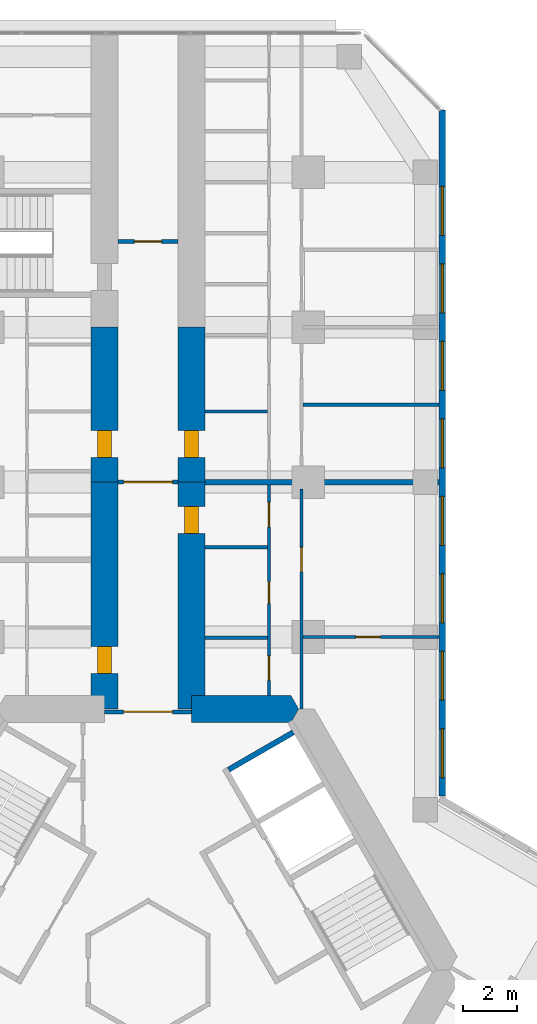
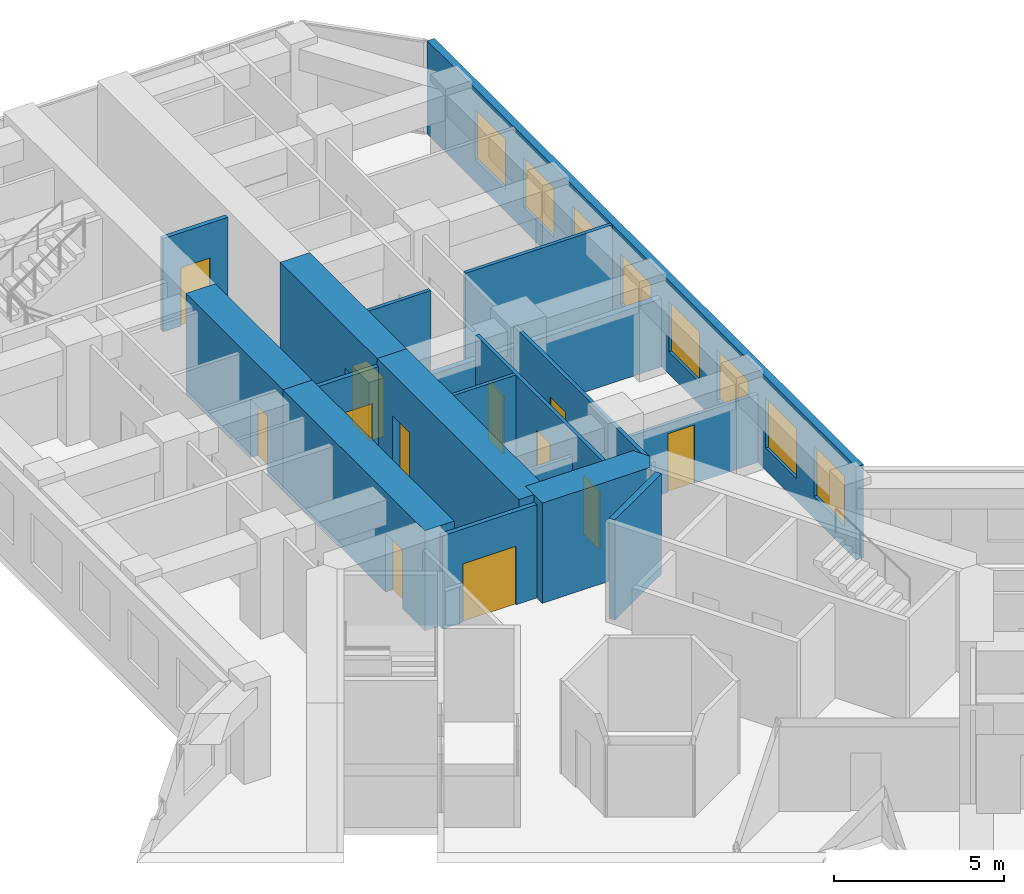
# One storey, part 18 of 21: 18 walls, 12 doors, 8 windows, 20 openings.
"""IFC4 building model written with IfcOpenShell, lengths in metres."""

from ifc_helpers import new_model, si_unit, direction, frame, frame_2d, origin, place, context, subcontext, project, spatial, polyline, rectangle, outline, extrude, material, layer, layer_set, type_object, element, fill, save


model = new_model("IFC4")

# Units and contexts
model_context = context("Model", 3, precision=1e-05, world=origin(), true_north=direction((0.0, 1.0)))
body_context = subcontext(model_context, "Body", "Model", "MODEL_VIEW")
ifc_project = project(units=[si_unit("LENGTHUNIT", "METRE"), si_unit("AREAUNIT", "SQUARE_METRE"), si_unit("VOLUMEUNIT", "CUBIC_METRE"), si_unit("PLANEANGLEUNIT", "RADIAN"), si_unit("MASSUNIT", "GRAM", prefix="KILO")], contexts=[model_context])

# Site, building, storey
site_placement = place(None, origin())
site = spatial("IfcSite", under=ifc_project, at=site_placement, CompositionType="ELEMENT")
building_placement = place(site_placement, origin())
building = spatial("IfcBuilding", under=site, at=building_placement, Name="Kosmar Iwan School Tower", CompositionType="ELEMENT")
storey_placement = place(building_placement, frame((0.0, 0.0, 106.0)))
storey = spatial("IfcBuildingStorey", under=building, at=storey_placement, Name="L26", CompositionType="ELEMENT", Elevation=106.0)

# Wall
ifc_material_1 = material(Name="Concrete C50/60", Category="concrete")
ifc_layer_1 = layer(ifc_material_1, 1.0)
ifc_layer_set_1 = layer_set([ifc_layer_1], Name="Core wall 1000")
wall_type_1 = type_object("IfcWallType", Name="Core wall 1000", PredefinedType="SHEAR", material=ifc_layer_set_1)
wall_1_placement = place(storey_placement, origin())
element("IfcWall", 1, at=wall_1_placement, inside=storey, type_object=wall_type_1, Name="Core wall F090a", PredefinedType="SHEAR", context=body_context, shape_type="SweptSolid", body=[
    extrude(outline(polyline([(1.60009765625, 9.10009765625), (5.25390625, 9.10009765625), (5.54248046875, 9.60009765625), (5.25390625, 10.10009765625), (1.60009765625, 10.10009765625), (1.60009765625, 9.10009765625)])), origin(), (0.0, 0.0, 1.0), 3.60009765625),
])

# Wall, opening, door
ifc_material_2 = material(Name="Concrete C50/60", Category="concrete")
ifc_layer_2 = layer(ifc_material_2, 1.0)
ifc_layer_set_2 = layer_set([ifc_layer_2], Name="Corridor buttress wall 1000")
wall_type_2 = type_object("IfcWallType", Name="Corridor buttress wall 1000", PredefinedType="SHEAR", material=ifc_layer_set_2)
wall_2_placement = place(storey_placement, frame((-1.60009765625, 9.60009765625, 0.0), z_axis=(0.0, 0.0, 1.0), x_axis=(0.0, 1.0, 0.0)))
wall_2 = element("IfcWall", 2, at=wall_2_placement, inside=storey, type_object=wall_type_2, Name="Corridor wall AL", PredefinedType="SHEAR", context=body_context, shape_type="SweptSolid", body=[
    extrude(rectangle(XDim=8.349853515625, YDim=1.0, at=frame_2d((4.1748046875, 0.0))), origin(), (0.0, 0.0, 1.0), 3.60009765625),
])
opening_1_placement = place(wall_2_placement, frame((1.300048828125, 0.0, 0.0)))
opening_1 = element("IfcOpeningElement", 3, at=opening_1_placement, cuts=wall_2, Name="Opening D1", PredefinedType="OPENING", context=body_context, shape_type="SweptSolid", body=[
    extrude(rectangle(XDim=1.0, YDim=2.10009765625, at=frame_2d((0.5, 1.050048828125))), frame((0.0, 0.511962890625, 0.0), z_axis=(0.0, -1.0, 0.0), x_axis=(1.0, 0.0, 0.0)), (0.0, 0.0, 1.0), 1.02392578125),
])
ifc_material_3 = material(Name="Timber fire door in steel frame", Category="steel")
door_type_1 = type_object("IfcDoorType", Name="Flat entrance door 1000x2100", OperationType="SINGLE_SWING_LEFT", PredefinedType="DOOR", material=ifc_material_3)
door_1_placement = place(opening_1_placement, origin())
door_1 = element("IfcDoor", 4, at=door_1_placement, inside=storey, type_object=door_type_1, Name="Flat L26-AL1 entrance door", OperationType="SINGLE_SWING_RIGHT", OverallHeight=2.10009765625, OverallWidth=1.0, PredefinedType="DOOR", context=body_context, shape_type="SweptSolid", body=[
    extrude(rectangle(XDim=1.0, YDim=2.10009765625, at=frame_2d((0.5, 1.050048828125))), frame((0.0, 0.25, 0.0), z_axis=(0.0, -1.0, 0.0), x_axis=(1.0, 0.0, 0.0)), (0.0, 0.0, 1.0), 0.5),
])
fill(opening_1, door_1)

wall_3_placement = place(storey_placement, frame((-1.60009765625, 17.949951171875, 0.0), z_axis=(0.0, 0.0, 1.0), x_axis=(0.0, 1.0, 0.0)))
wall_3 = element("IfcWall", 5, at=wall_3_placement, inside=storey, type_object=wall_type_2, Name="Corridor wall AL bay 2", PredefinedType="SHEAR", context=body_context, shape_type="SweptSolid", body=[
    extrude(rectangle(XDim=5.699951171875, YDim=1.0, at=frame_2d((2.85009765625, 0.0))), origin(), (0.0, 0.0, 1.0), 3.60009765625),
])
opening_2_placement = place(wall_3_placement, frame((0.89990234375, 0.0, 0.0)))
opening_2 = element("IfcOpeningElement", 6, at=opening_2_placement, cuts=wall_3, Name="Opening D1", PredefinedType="OPENING", context=body_context, shape_type="SweptSolid", body=[
    extrude(rectangle(XDim=1.0, YDim=2.10009765625, at=frame_2d((0.5, 1.050048828125))), frame((0.0, 0.511962890625, 0.0), z_axis=(0.0, -1.0, 0.0), x_axis=(1.0, 0.0, 0.0)), (0.0, 0.0, 1.0), 1.02392578125),
])
door_2_placement = place(opening_2_placement, origin())
door_2 = element("IfcDoor", 7, at=door_2_placement, inside=storey, type_object=door_type_1, Name="Flat L26-AL2 entrance door", OperationType="SINGLE_SWING_LEFT", OverallHeight=2.10009765625, OverallWidth=1.0, PredefinedType="DOOR", context=body_context, shape_type="SweptSolid", body=[
    extrude(rectangle(XDim=1.0, YDim=2.10009765625, at=frame_2d((0.5, 1.050048828125))), frame((0.0, 0.25, 0.0), z_axis=(0.0, -1.0, 0.0), x_axis=(1.0, 0.0, 0.0)), (0.0, 0.0, 1.0), 0.5),
])
fill(opening_2, door_2)

wall_4_placement = place(storey_placement, frame((1.60009765625, 9.60009765625, 0.0), z_axis=(0.0, 0.0, 1.0), x_axis=(0.0, 1.0, 0.0)))
wall_4 = element("IfcWall", 8, at=wall_4_placement, inside=storey, type_object=wall_type_2, Name="Corridor wall AR", PredefinedType="SHEAR", context=body_context, shape_type="SweptSolid", body=[
    extrude(rectangle(XDim=8.349853515625, YDim=1.0, at=frame_2d((4.1748046875, 0.0))), origin(), (0.0, 0.0, 1.0), 3.60009765625),
])
opening_3_placement = place(wall_4_placement, frame((6.449951171875, 0.0, 0.0)))
opening_3 = element("IfcOpeningElement", 9, at=opening_3_placement, cuts=wall_4, Name="Opening D1", PredefinedType="OPENING", context=body_context, shape_type="SweptSolid", body=[
    extrude(rectangle(XDim=1.0, YDim=2.10009765625, at=frame_2d((0.5, 1.050048828125))), frame((0.0, 0.511962890625, 0.0), z_axis=(0.0, -1.0, 0.0), x_axis=(1.0, 0.0, 0.0)), (0.0, 0.0, 1.0), 1.02392578125),
])
door_3_placement = place(opening_3_placement, origin())
door_3 = element("IfcDoor", 10, at=door_3_placement, inside=storey, type_object=door_type_1, Name="Flat L26-AR1 entrance door", OperationType="SINGLE_SWING_RIGHT", OverallHeight=2.10009765625, OverallWidth=1.0, PredefinedType="DOOR", context=body_context, shape_type="SweptSolid", body=[
    extrude(rectangle(XDim=1.0, YDim=2.10009765625, at=frame_2d((0.5, 1.050048828125))), frame((0.0, 0.25, 0.0), z_axis=(0.0, -1.0, 0.0), x_axis=(1.0, 0.0, 0.0)), (0.0, 0.0, 1.0), 0.5),
])
fill(opening_3, door_3)

wall_5_placement = place(storey_placement, frame((1.60009765625, 17.949951171875, 0.0), z_axis=(0.0, 0.0, 1.0), x_axis=(0.0, 1.0, 0.0)))
wall_5 = element("IfcWall", 11, at=wall_5_placement, inside=storey, type_object=wall_type_2, Name="Corridor wall AR bay 2", PredefinedType="SHEAR", context=body_context, shape_type="SweptSolid", body=[
    extrude(rectangle(XDim=5.699951171875, YDim=1.0, at=frame_2d((2.85009765625, 0.0))), origin(), (0.0, 0.0, 1.0), 3.60009765625),
])
opening_4_placement = place(wall_5_placement, frame((0.89990234375, 0.0, 0.0)))
opening_4 = element("IfcOpeningElement", 12, at=opening_4_placement, cuts=wall_5, Name="Opening D1", PredefinedType="OPENING", context=body_context, shape_type="SweptSolid", body=[
    extrude(rectangle(XDim=1.0, YDim=2.10009765625, at=frame_2d((0.5, 1.050048828125))), frame((0.0, 0.511962890625, 0.0), z_axis=(0.0, -1.0, 0.0), x_axis=(1.0, 0.0, 0.0)), (0.0, 0.0, 1.0), 1.02392578125),
])
door_4_placement = place(opening_4_placement, origin())
door_4 = element("IfcDoor", 13, at=door_4_placement, inside=storey, type_object=door_type_1, Name="Flat L26-AR2 entrance door", OperationType="SINGLE_SWING_LEFT", OverallHeight=2.10009765625, OverallWidth=1.0, PredefinedType="DOOR", context=body_context, shape_type="SweptSolid", body=[
    extrude(rectangle(XDim=1.0, YDim=2.10009765625, at=frame_2d((0.5, 1.050048828125))), frame((0.0, 0.25, 0.0), z_axis=(0.0, -1.0, 0.0), x_axis=(1.0, 0.0, 0.0)), (0.0, 0.0, 1.0), 0.5),
])
fill(opening_4, door_4)

ifc_material_4 = material(Name="Gypsum board on steel studs, fire-rated", Category="steel")
ifc_layer_3 = layer(ifc_material_4, 0.14990234375)
ifc_layer_set_3 = layer_set([ifc_layer_3], Name="Corridor end wall 150")
wall_type_3 = type_object("IfcWallType", Name="Corridor end wall 150", PredefinedType="PARTITIONING", material=ifc_layer_set_3)
wall_6_placement = place(storey_placement, frame((1.10009765625, 26.800048828125, 0.0), z_axis=(0.0, 0.0, 1.0), x_axis=(-1.0, 0.0, 0.0)))
wall_6 = element("IfcWall", 14, at=wall_6_placement, inside=storey, type_object=wall_type_3, Name="Partition L26-A-CE", PredefinedType="PARTITIONING", context=body_context, shape_type="SweptSolid", body=[
    extrude(rectangle(XDim=2.2001953125, YDim=0.14990234375, at=frame_2d((1.10009765625, 0.0))), origin(), (0.0, 0.0, 1.0), 3.35009765625),
])
opening_5_placement = place(wall_6_placement, frame((0.60009765625, 0.0, 0.0)))
opening_5 = element("IfcOpeningElement", 15, at=opening_5_placement, cuts=wall_6, Name="Opening D13", PredefinedType="OPENING", context=body_context, shape_type="SweptSolid", body=[
    extrude(rectangle(XDim=1.0, YDim=2.10009765625, at=frame_2d((0.5, 1.050048828125))), frame((0.0, 0.0869140625, 0.0), z_axis=(0.0, -1.0, 0.0), x_axis=(1.0, 0.0, 0.0)), (0.0, 0.0, 1.0), 0.173828125),
])
ifc_material_5 = material(Name="Timber fire door with vision panel", Category="wood")
door_type_2 = type_object("IfcDoorType", Name="Corridor end door 1000x2100", OperationType="SINGLE_SWING_LEFT", PredefinedType="DOOR", material=ifc_material_5)
door_5_placement = place(opening_5_placement, origin())
door_5 = element("IfcDoor", 16, at=door_5_placement, inside=storey, type_object=door_type_2, Name="Laundry and drying room door L26-A", OperationType="SINGLE_SWING_LEFT", OverallHeight=2.10009765625, OverallWidth=1.0, PredefinedType="DOOR", context=body_context, shape_type="SweptSolid", body=[
    extrude(rectangle(XDim=1.0, YDim=2.10009765625, at=frame_2d((0.5, 1.050048828125))), frame((0.0, 0.02490234375, 0.0), z_axis=(0.0, -1.0, 0.0), x_axis=(1.0, 0.0, 0.0)), (0.0, 0.0, 1.0), 0.050048828125),
])
fill(opening_5, door_5)

wall_7_placement = place(storey_placement, frame((1.10009765625, 17.949951171875, 0.0), z_axis=(0.0, 0.0, 1.0), x_axis=(-1.0, 0.0, 0.0)))
wall_7 = element("IfcWall", 17, at=wall_7_placement, inside=storey, type_object=wall_type_3, Name="Partition L26-A-HW", PredefinedType="PARTITIONING", context=body_context, shape_type="SweptSolid", body=[
    extrude(rectangle(XDim=2.2001953125, YDim=0.14990234375, at=frame_2d((1.10009765625, 0.0))), origin(), (0.0, 0.0, 1.0), 3.35009765625),
])
opening_6_placement = place(wall_7_placement, frame((0.199951171875, 0.0, 0.0)))
opening_6 = element("IfcOpeningElement", 18, at=opening_6_placement, cuts=wall_7, Name="Opening D9", PredefinedType="OPENING", context=body_context, shape_type="SweptSolid", body=[
    extrude(rectangle(XDim=1.800048828125, YDim=2.10009765625, at=frame_2d((0.89990234375, 1.050048828125))), frame((0.0, 0.0869140625, 0.0), z_axis=(0.0, -1.0, 0.0), x_axis=(1.0, 0.0, 0.0)), (0.0, 0.0, 1.0), 0.173828125),
])
ifc_material_6 = material(Name="Steel framed glazed smoke door", Category="steel")
door_type_3 = type_object("IfcDoorType", Name="Corridor smoke door pair 1800x2100", OperationType="DOUBLE_DOOR_DOUBLE_SWING", PredefinedType="DOOR", material=ifc_material_6)
door_6_placement = place(opening_6_placement, origin())
door_6 = element("IfcDoor", 19, at=door_6_placement, inside=storey, type_object=door_type_3, Name="Entrance vestibule smoke doors L26-A", OperationType="DOUBLE_DOOR_DOUBLE_SWING", OverallHeight=2.10009765625, OverallWidth=1.800048828125, PredefinedType="DOOR", context=body_context, shape_type="SweptSolid", body=[
    extrude(rectangle(XDim=1.800048828125, YDim=2.10009765625, at=frame_2d((0.89990234375, 1.050048828125))), frame((0.0, 0.02490234375, 0.0), z_axis=(0.0, -1.0, 0.0), x_axis=(1.0, 0.0, 0.0)), (0.0, 0.0, 1.0), 0.050048828125),
])
fill(opening_6, door_6)

ifc_material_7 = material(Name="Steel framed glazed screen", Category="steel")
ifc_layer_4 = layer(ifc_material_7, 0.14990234375)
ifc_layer_set_4 = layer_set([ifc_layer_4], Name="Corridor screen wall 150")
wall_type_4 = type_object("IfcWallType", Name="Corridor screen wall 150", PredefinedType="PARTITIONING", material=ifc_layer_set_4)
wall_8_placement = place(storey_placement, frame((1.60009765625, 9.5, 0.0), z_axis=(0.0, 0.0, 1.0), x_axis=(-1.0, 0.0, 0.0)))
wall_8 = element("IfcWall", 20, at=wall_8_placement, inside=storey, type_object=wall_type_4, Name="Corridor screen A L26", PredefinedType="PARTITIONING", context=body_context, shape_type="SweptSolid", body=[
    extrude(rectangle(XDim=3.2001953125, YDim=0.14990234375, at=frame_2d((1.60009765625, 0.0))), origin(), (0.0, 0.0, 1.0), 3.35009765625),
])
opening_7_placement = place(wall_8_placement, frame((0.699951171875, 0.0, 0.0)))
opening_7 = element("IfcOpeningElement", 21, at=opening_7_placement, cuts=wall_8, Name="Opening D9", PredefinedType="OPENING", context=body_context, shape_type="SweptSolid", body=[
    extrude(rectangle(XDim=1.800048828125, YDim=2.10009765625, at=frame_2d((0.89990234375, 1.050048828125))), frame((0.0, 0.0869140625, 0.0), z_axis=(0.0, -1.0, 0.0), x_axis=(1.0, 0.0, 0.0)), (0.0, 0.0, 1.0), 0.173828125),
])
door_7_placement = place(opening_7_placement, origin())
door_7 = element("IfcDoor", 22, at=door_7_placement, inside=storey, type_object=door_type_3, Name="Corridor doors A L26", OperationType="DOUBLE_DOOR_DOUBLE_SWING", OverallHeight=2.10009765625, OverallWidth=1.800048828125, PredefinedType="DOOR", context=body_context, shape_type="SweptSolid", body=[
    extrude(rectangle(XDim=1.800048828125, YDim=2.10009765625, at=frame_2d((0.89990234375, 1.050048828125))), frame((0.0, 0.02490234375, 0.0), z_axis=(0.0, -1.0, 0.0), x_axis=(1.0, 0.0, 0.0)), (0.0, 0.0, 1.0), 0.050048828125),
])
fill(opening_7, door_7)

# Wall, openings, doors
ifc_material_8 = material(Name="Gypsum board on steel studs", Category="steel")
ifc_layer_5 = layer(ifc_material_8, 0.1201171875)
ifc_layer_set_5 = layer_set([ifc_layer_5], Name="Dwelling partition 120")
wall_type_5 = type_object("IfcWallType", Name="Dwelling partition 120", PredefinedType="PARTITIONING", material=ifc_layer_set_5)
wall_9_placement = place(storey_placement, frame((4.449951171875, 10.10009765625, 0.0), z_axis=(0.0, 0.0, 1.0), x_axis=(0.0, 1.0, 0.0)))
wall_9 = element("IfcWall", 23, at=wall_9_placement, inside=storey, type_object=wall_type_5, Name="Partition L26-AR1-W1", PredefinedType="PARTITIONING", context=body_context, shape_type="SweptSolid", body=[
    extrude(rectangle(XDim=7.75, YDim=0.1201171875, at=frame_2d((3.875, 0.0))), origin(), (0.0, 0.0, 1.0), 3.35009765625),
])
opening_8_placement = place(wall_9_placement, frame((0.56005859375, 0.0, 0.0)))
opening_8 = element("IfcOpeningElement", 24, at=opening_8_placement, cuts=wall_9, Name="Opening D2", PredefinedType="OPENING", context=body_context, shape_type="SweptSolid", body=[
    extrude(rectangle(XDim=0.89990234375, YDim=2.10009765625, at=frame_2d((0.449951171875, 1.050048828125))), frame((0.0, 0.072021484375, 0.0), z_axis=(0.0, -1.0, 0.0), x_axis=(1.0, 0.0, 0.0)), (0.0, 0.0, 1.0), 0.14404296875),
])
opening_9_placement = place(wall_9_placement, frame((3.385009765625, 0.0, 0.0)))
opening_9 = element("IfcOpeningElement", 25, at=opening_9_placement, cuts=wall_9, Name="Opening D3", PredefinedType="OPENING", context=body_context, shape_type="SweptSolid", body=[
    extrude(rectangle(XDim=0.800048828125, YDim=2.10009765625, at=frame_2d((0.39990234375, 1.050048828125))), frame((0.0, 0.072021484375, 0.0), z_axis=(0.0, -1.0, 0.0), x_axis=(1.0, 0.0, 0.0)), (0.0, 0.0, 1.0), 0.14404296875),
])
opening_10_placement = place(wall_9_placement, frame((6.199951171875, 0.0, 0.0)))
opening_10 = element("IfcOpeningElement", 26, at=opening_10_placement, cuts=wall_9, Name="Opening D2", PredefinedType="OPENING", context=body_context, shape_type="SweptSolid", body=[
    extrude(rectangle(XDim=0.89990234375, YDim=2.10009765625, at=frame_2d((0.449951171875, 1.050048828125))), frame((0.0, 0.072021484375, 0.0), z_axis=(0.0, -1.0, 0.0), x_axis=(1.0, 0.0, 0.0)), (0.0, 0.0, 1.0), 0.14404296875),
])
ifc_material_9 = material(Name="Timber door in timber frame", Category="wood")
door_type_4 = type_object("IfcDoorType", Name="Internal door 900x2100", OperationType="SINGLE_SWING_LEFT", PredefinedType="DOOR", material=ifc_material_9)
door_8_placement = place(opening_8_placement, origin())
door_8 = element("IfcDoor", 27, at=door_8_placement, inside=storey, type_object=door_type_4, Name="Pantry door L26-AR1-S1", OperationType="SINGLE_SWING_LEFT", OverallHeight=2.10009765625, OverallWidth=0.89990234375, PredefinedType="DOOR", context=body_context, shape_type="SweptSolid", body=[
    extrude(rectangle(XDim=0.89990234375, YDim=2.10009765625, at=frame_2d((0.449951171875, 1.050048828125))), frame((0.0, 0.02490234375, 0.0), z_axis=(0.0, -1.0, 0.0), x_axis=(1.0, 0.0, 0.0)), (0.0, 0.0, 1.0), 0.050048828125),
])
fill(opening_8, door_8)
door_9_placement = place(opening_10_placement, origin())
door_9 = element("IfcDoor", 28, at=door_9_placement, inside=storey, type_object=door_type_4, Name="Entrance hall door L26-AR1-S3", OperationType="SINGLE_SWING_RIGHT", OverallHeight=2.10009765625, OverallWidth=0.89990234375, PredefinedType="DOOR", context=body_context, shape_type="SweptSolid", body=[
    extrude(rectangle(XDim=0.89990234375, YDim=2.10009765625, at=frame_2d((0.449951171875, 1.050048828125))), frame((0.0, 0.02490234375, 0.0), z_axis=(0.0, -1.0, 0.0), x_axis=(1.0, 0.0, 0.0)), (0.0, 0.0, 1.0), 0.050048828125),
])
fill(opening_10, door_9)
ifc_material_10 = material(Name="Timber door in timber frame", Category="wood")
door_type_5 = type_object("IfcDoorType", Name="Sanitary room door 800x2100", OperationType="SINGLE_SWING_LEFT", PredefinedType="DOOR", material=ifc_material_10)
door_10_placement = place(opening_9_placement, origin())
door_10 = element("IfcDoor", 29, at=door_10_placement, inside=storey, type_object=door_type_5, Name="Bathroom door L26-AR1-S2", OperationType="SINGLE_SWING_RIGHT", OverallHeight=2.10009765625, OverallWidth=0.800048828125, PredefinedType="DOOR", context=body_context, shape_type="SweptSolid", body=[
    extrude(rectangle(XDim=0.800048828125, YDim=2.10009765625, at=frame_2d((0.39990234375, 1.050048828125))), frame((0.0, 0.02490234375, 0.0), z_axis=(0.0, -1.0, 0.0), x_axis=(1.0, 0.0, 0.0)), (0.0, 0.0, 1.0), 0.050048828125),
])
fill(opening_9, door_10)

# Wall, opening, door
wall_10_placement = place(storey_placement, frame((5.64990234375, 9.60009765625, 0.0), z_axis=(0.0, 0.0, 1.0), x_axis=(0.0, 1.0, 0.0)))
wall_10 = element("IfcWall", 30, at=wall_10_placement, inside=storey, type_object=wall_type_5, Name="Partition L26-AR1-W2", PredefinedType="PARTITIONING", context=body_context, shape_type="SweptSolid", body=[
    extrude(rectangle(XDim=8.099853515625, YDim=0.1201171875, at=frame_2d((4.0498046875, 0.0))), origin(), (0.0, 0.0, 1.0), 3.35009765625),
])
opening_11_placement = place(wall_10_placement, frame((5.050048828125, 0.0, 0.0)))
opening_11 = element("IfcOpeningElement", 31, at=opening_11_placement, cuts=wall_10, Name="Opening D2", PredefinedType="OPENING", context=body_context, shape_type="SweptSolid", body=[
    extrude(rectangle(XDim=0.89990234375, YDim=2.10009765625, at=frame_2d((0.449951171875, 1.050048828125))), frame((0.0, 0.072021484375, 0.0), z_axis=(0.0, -1.0, 0.0), x_axis=(1.0, 0.0, 0.0)), (0.0, 0.0, 1.0), 0.14404296875),
])
door_11_placement = place(opening_11_placement, origin())
door_11 = element("IfcDoor", 32, at=door_11_placement, inside=storey, type_object=door_type_4, Name="Studio living room door L26-AR1-F2", OperationType="SINGLE_SWING_RIGHT", OverallHeight=2.10009765625, OverallWidth=0.89990234375, PredefinedType="DOOR", context=body_context, shape_type="SweptSolid", body=[
    extrude(rectangle(XDim=0.89990234375, YDim=2.10009765625, at=frame_2d((0.449951171875, 1.050048828125))), frame((0.0, 0.02490234375, 0.0), z_axis=(0.0, -1.0, 0.0), x_axis=(1.0, 0.0, 0.0)), (0.0, 0.0, 1.0), 0.050048828125),
])
fill(opening_11, door_11)

wall_11_placement = place(storey_placement, frame((5.7099609375, 12.25, 0.0), z_axis=(0.0, 0.0, 1.0), x_axis=(1.0, 0.0, 0.0)))
wall_11 = element("IfcWall", 33, at=wall_11_placement, inside=storey, type_object=wall_type_5, Name="Partition L26-AR1-X1", PredefinedType="PARTITIONING", context=body_context, shape_type="SweptSolid", body=[
    extrude(rectangle(XDim=4.989990234375, YDim=0.1201171875, at=frame_2d((2.4951171875, 0.0))), origin(), (0.0, 0.0, 1.0), 2.449951171875),
])
opening_12_placement = place(wall_11_placement, frame((1.93994140625, 0.0, 0.0)))
opening_12 = element("IfcOpeningElement", 34, at=opening_12_placement, cuts=wall_11, Name="Opening D2", PredefinedType="OPENING", context=body_context, shape_type="SweptSolid", body=[
    extrude(rectangle(XDim=0.89990234375, YDim=2.10009765625, at=frame_2d((0.449951171875, 1.050048828125))), frame((0.0, 0.072021484375, 0.0), z_axis=(0.0, -1.0, 0.0), x_axis=(1.0, 0.0, 0.0)), (0.0, 0.0, 1.0), 0.14404296875),
])
door_12_placement = place(opening_12_placement, origin())
door_12 = element("IfcDoor", 35, at=door_12_placement, inside=storey, type_object=door_type_4, Name="Kitchen and dining room door L26-AR1-F1", OperationType="SINGLE_SWING_LEFT", OverallHeight=2.10009765625, OverallWidth=0.89990234375, PredefinedType="DOOR", context=body_context, shape_type="SweptSolid", body=[
    extrude(rectangle(XDim=0.89990234375, YDim=2.10009765625, at=frame_2d((0.449951171875, 1.050048828125))), frame((0.0, 0.02490234375, 0.0), z_axis=(0.0, -1.0, 0.0), x_axis=(1.0, 0.0, 0.0)), (0.0, 0.0, 1.0), 0.050048828125),
])
fill(opening_12, door_12)

# Walls
wall_12_placement = place(storey_placement, frame((2.10009765625, 12.219970703125, 0.0), z_axis=(0.0, 0.0, 1.0), x_axis=(1.0, 0.0, 0.0)))
element("IfcWall", 36, at=wall_12_placement, inside=storey, type_object=wall_type_5, Name="Partition L26-AR1-Y1", PredefinedType="PARTITIONING", context=body_context, shape_type="SweptSolid", body=[
    extrude(rectangle(XDim=2.289794921875, YDim=0.1201171875, at=frame_2d((1.14501953125, 0.0))), origin(), (0.0, 0.0, 1.0), 2.449951171875),
])
wall_13_placement = place(storey_placement, frame((2.10009765625, 15.550048828125, 0.0), z_axis=(0.0, 0.0, 1.0), x_axis=(1.0, 0.0, 0.0)))
element("IfcWall", 37, at=wall_13_placement, inside=storey, type_object=wall_type_5, Name="Partition L26-AR1-Y2", PredefinedType="PARTITIONING", context=body_context, shape_type="SweptSolid", body=[
    extrude(rectangle(XDim=2.289794921875, YDim=0.1201171875, at=frame_2d((1.14501953125, 0.0))), origin(), (0.0, 0.0, 1.0), 3.35009765625),
])
wall_14_placement = place(storey_placement, frame((5.7099609375, 20.800048828125, 0.0), z_axis=(0.0, 0.0, 1.0), x_axis=(1.0, 0.0, 0.0)))
element("IfcWall", 38, at=wall_14_placement, inside=storey, type_object=wall_type_5, Name="Partition L26-AR2-X1", PredefinedType="PARTITIONING", context=body_context, shape_type="SweptSolid", body=[
    extrude(rectangle(XDim=4.989990234375, YDim=0.1201171875, at=frame_2d((2.4951171875, 0.0))), origin(), (0.0, 0.0, 1.0), 3.35009765625),
])
wall_15_placement = place(storey_placement, frame((2.10009765625, 20.550048828125, 0.0), z_axis=(0.0, 0.0, 1.0), x_axis=(1.0, 0.0, 0.0)))
element("IfcWall", 39, at=wall_15_placement, inside=storey, type_object=wall_type_5, Name="Partition L26-AR2-Y1", PredefinedType="PARTITIONING", context=body_context, shape_type="SweptSolid", body=[
    extrude(rectangle(XDim=2.289794921875, YDim=0.1201171875, at=frame_2d((1.14501953125, 0.0))), origin(), (0.0, 0.0, 1.0), 3.35009765625),
])

# Wall, openings, windows
ifc_material_11 = material(Name="Black aluminium rainscreen on insulated framing", Category="aluminium")
ifc_layer_6 = layer(ifc_material_11, 0.25)
ifc_layer_set_6 = layer_set([ifc_layer_6], Name="External wall rainscreen 250")
wall_type_6 = type_object("IfcWallType", Name="External wall rainscreen 250", PredefinedType="SOLIDWALL", material=ifc_layer_set_6)
wall_16_placement = place(storey_placement, frame((10.824951171875, 6.408935546875, 0.0), z_axis=(0.0, 0.0, 1.0), x_axis=(0.0, 1.0, 0.0)))
wall_16 = element("IfcWall", 40, at=wall_16_placement, inside=storey, type_object=wall_type_6, Name="External wall AR L26", PredefinedType="SOLIDWALL", context=body_context, shape_type="SweptSolid", body=[
    extrude(rectangle(XDim=25.226318359375, YDim=0.25, at=frame_2d((12.61328125, 0.0))), origin(), (0.0, 0.0, 1.0), 3.35009765625),
])
opening_13_placement = place(wall_16_placement, frame((0.666015625, 0.0, 0.800048828125)))
opening_13 = element("IfcOpeningElement", 41, at=opening_13_placement, cuts=wall_16, Name="Opening W1", PredefinedType="OPENING", context=body_context, shape_type="SweptSolid", body=[
    extrude(rectangle(XDim=1.800048828125, YDim=1.800048828125, at=frame_2d((0.89990234375, 0.89990234375))), frame((0.0, 0.136962890625, 0.0), z_axis=(0.0, -1.0, 0.0), x_axis=(1.0, 0.0, 0.0)), (0.0, 0.0, 1.0), 0.27392578125),
])
opening_14_placement = place(wall_16_placement, frame((3.51611328125, 0.0, 0.800048828125)))
opening_14 = element("IfcOpeningElement", 42, at=opening_14_placement, cuts=wall_16, Name="Opening W1", PredefinedType="OPENING", context=body_context, shape_type="SweptSolid", body=[
    extrude(rectangle(XDim=1.800048828125, YDim=1.800048828125, at=frame_2d((0.89990234375, 0.89990234375))), frame((0.0, 0.136962890625, 0.0), z_axis=(0.0, -1.0, 0.0), x_axis=(1.0, 0.0, 0.0)), (0.0, 0.0, 1.0), 0.27392578125),
])
opening_15_placement = place(wall_16_placement, frame((6.365966796875, 0.0, 0.800048828125)))
opening_15 = element("IfcOpeningElement", 43, at=opening_15_placement, cuts=wall_16, Name="Opening W1", PredefinedType="OPENING", context=body_context, shape_type="SweptSolid", body=[
    extrude(rectangle(XDim=1.800048828125, YDim=1.800048828125, at=frame_2d((0.89990234375, 0.89990234375))), frame((0.0, 0.136962890625, 0.0), z_axis=(0.0, -1.0, 0.0), x_axis=(1.0, 0.0, 0.0)), (0.0, 0.0, 1.0), 0.27392578125),
])
opening_16_placement = place(wall_16_placement, frame((9.216064453125, 0.0, 0.800048828125)))
opening_16 = element("IfcOpeningElement", 44, at=opening_16_placement, cuts=wall_16, Name="Opening W1", PredefinedType="OPENING", context=body_context, shape_type="SweptSolid", body=[
    extrude(rectangle(XDim=1.800048828125, YDim=1.800048828125, at=frame_2d((0.89990234375, 0.89990234375))), frame((0.0, 0.136962890625, 0.0), z_axis=(0.0, -1.0, 0.0), x_axis=(1.0, 0.0, 0.0)), (0.0, 0.0, 1.0), 0.27392578125),
])
opening_17_placement = place(wall_16_placement, frame((12.06591796875, 0.0, 0.800048828125)))
opening_17 = element("IfcOpeningElement", 45, at=opening_17_placement, cuts=wall_16, Name="Opening W1", PredefinedType="OPENING", context=body_context, shape_type="SweptSolid", body=[
    extrude(rectangle(XDim=1.800048828125, YDim=1.800048828125, at=frame_2d((0.89990234375, 0.89990234375))), frame((0.0, 0.136962890625, 0.0), z_axis=(0.0, -1.0, 0.0), x_axis=(1.0, 0.0, 0.0)), (0.0, 0.0, 1.0), 0.27392578125),
])
opening_18_placement = place(wall_16_placement, frame((14.916015625, 0.0, 0.800048828125)))
opening_18 = element("IfcOpeningElement", 46, at=opening_18_placement, cuts=wall_16, Name="Opening W1", PredefinedType="OPENING", context=body_context, shape_type="SweptSolid", body=[
    extrude(rectangle(XDim=1.800048828125, YDim=1.800048828125, at=frame_2d((0.89990234375, 0.89990234375))), frame((0.0, 0.136962890625, 0.0), z_axis=(0.0, -1.0, 0.0), x_axis=(1.0, 0.0, 0.0)), (0.0, 0.0, 1.0), 0.27392578125),
])
opening_19_placement = place(wall_16_placement, frame((17.76611328125, 0.0, 0.800048828125)))
opening_19 = element("IfcOpeningElement", 47, at=opening_19_placement, cuts=wall_16, Name="Opening W1", PredefinedType="OPENING", context=body_context, shape_type="SweptSolid", body=[
    extrude(rectangle(XDim=1.800048828125, YDim=1.800048828125, at=frame_2d((0.89990234375, 0.89990234375))), frame((0.0, 0.136962890625, 0.0), z_axis=(0.0, -1.0, 0.0), x_axis=(1.0, 0.0, 0.0)), (0.0, 0.0, 1.0), 0.27392578125),
])
opening_20_placement = place(wall_16_placement, frame((20.615966796875, 0.0, 0.800048828125)))
opening_20 = element("IfcOpeningElement", 48, at=opening_20_placement, cuts=wall_16, Name="Opening W1", PredefinedType="OPENING", context=body_context, shape_type="SweptSolid", body=[
    extrude(rectangle(XDim=1.800048828125, YDim=1.800048828125, at=frame_2d((0.89990234375, 0.89990234375))), frame((0.0, 0.136962890625, 0.0), z_axis=(0.0, -1.0, 0.0), x_axis=(1.0, 0.0, 0.0)), (0.0, 0.0, 1.0), 0.27392578125),
])
ifc_material_12 = material(Name="Black aluminium frame with dark triple glazing", Category="aluminium")
window_type = type_object("IfcWindowType", Name="Window 1800x1800", PartitioningType="SINGLE_PANEL", PredefinedType="WINDOW", material=ifc_material_12)
window_1_placement = place(opening_13_placement, origin())
window_1 = element("IfcWindow", 49, at=window_1_placement, inside=storey, type_object=window_type, Name="Window AR L26 -1", OverallHeight=1.800048828125, OverallWidth=1.800048828125, PartitioningType="SINGLE_PANEL", PredefinedType="WINDOW", context=body_context, shape_type="SweptSolid", body=[
    extrude(rectangle(XDim=1.800048828125, YDim=1.800048828125, at=frame_2d((0.89990234375, 0.89990234375))), frame((0.0, 0.030029296875, 0.0), z_axis=(0.0, -1.0, 0.0), x_axis=(1.0, 0.0, 0.0)), (0.0, 0.0, 1.0), 0.06005859375),
])
fill(opening_13, window_1)
window_2_placement = place(opening_14_placement, origin())
window_2 = element("IfcWindow", 50, at=window_2_placement, inside=storey, type_object=window_type, Name="Window AR L26 0", OverallHeight=1.800048828125, OverallWidth=1.800048828125, PartitioningType="SINGLE_PANEL", PredefinedType="WINDOW", context=body_context, shape_type="SweptSolid", body=[
    extrude(rectangle(XDim=1.800048828125, YDim=1.800048828125, at=frame_2d((0.89990234375, 0.89990234375))), frame((0.0, 0.030029296875, 0.0), z_axis=(0.0, -1.0, 0.0), x_axis=(1.0, 0.0, 0.0)), (0.0, 0.0, 1.0), 0.06005859375),
])
fill(opening_14, window_2)
window_3_placement = place(opening_15_placement, origin())
window_3 = element("IfcWindow", 51, at=window_3_placement, inside=storey, type_object=window_type, Name="Window AR L26 1", OverallHeight=1.800048828125, OverallWidth=1.800048828125, PartitioningType="SINGLE_PANEL", PredefinedType="WINDOW", context=body_context, shape_type="SweptSolid", body=[
    extrude(rectangle(XDim=1.800048828125, YDim=1.800048828125, at=frame_2d((0.89990234375, 0.89990234375))), frame((0.0, 0.030029296875, 0.0), z_axis=(0.0, -1.0, 0.0), x_axis=(1.0, 0.0, 0.0)), (0.0, 0.0, 1.0), 0.06005859375),
])
fill(opening_15, window_3)
window_4_placement = place(opening_16_placement, origin())
window_4 = element("IfcWindow", 52, at=window_4_placement, inside=storey, type_object=window_type, Name="Window AR L26 2", OverallHeight=1.800048828125, OverallWidth=1.800048828125, PartitioningType="SINGLE_PANEL", PredefinedType="WINDOW", context=body_context, shape_type="SweptSolid", body=[
    extrude(rectangle(XDim=1.800048828125, YDim=1.800048828125, at=frame_2d((0.89990234375, 0.89990234375))), frame((0.0, 0.030029296875, 0.0), z_axis=(0.0, -1.0, 0.0), x_axis=(1.0, 0.0, 0.0)), (0.0, 0.0, 1.0), 0.06005859375),
])
fill(opening_16, window_4)
window_5_placement = place(opening_17_placement, origin())
window_5 = element("IfcWindow", 53, at=window_5_placement, inside=storey, type_object=window_type, Name="Window AR L26 3", OverallHeight=1.800048828125, OverallWidth=1.800048828125, PartitioningType="SINGLE_PANEL", PredefinedType="WINDOW", context=body_context, shape_type="SweptSolid", body=[
    extrude(rectangle(XDim=1.800048828125, YDim=1.800048828125, at=frame_2d((0.89990234375, 0.89990234375))), frame((0.0, 0.030029296875, 0.0), z_axis=(0.0, -1.0, 0.0), x_axis=(1.0, 0.0, 0.0)), (0.0, 0.0, 1.0), 0.06005859375),
])
fill(opening_17, window_5)
window_6_placement = place(opening_18_placement, origin())
window_6 = element("IfcWindow", 54, at=window_6_placement, inside=storey, type_object=window_type, Name="Window AR L26 4", OverallHeight=1.800048828125, OverallWidth=1.800048828125, PartitioningType="SINGLE_PANEL", PredefinedType="WINDOW", context=body_context, shape_type="SweptSolid", body=[
    extrude(rectangle(XDim=1.800048828125, YDim=1.800048828125, at=frame_2d((0.89990234375, 0.89990234375))), frame((0.0, 0.030029296875, 0.0), z_axis=(0.0, -1.0, 0.0), x_axis=(1.0, 0.0, 0.0)), (0.0, 0.0, 1.0), 0.06005859375),
])
fill(opening_18, window_6)
window_7_placement = place(opening_19_placement, origin())
window_7 = element("IfcWindow", 55, at=window_7_placement, inside=storey, type_object=window_type, Name="Window AR L26 5", OverallHeight=1.800048828125, OverallWidth=1.800048828125, PartitioningType="SINGLE_PANEL", PredefinedType="WINDOW", context=body_context, shape_type="SweptSolid", body=[
    extrude(rectangle(XDim=1.800048828125, YDim=1.800048828125, at=frame_2d((0.89990234375, 0.89990234375))), frame((0.0, 0.030029296875, 0.0), z_axis=(0.0, -1.0, 0.0), x_axis=(1.0, 0.0, 0.0)), (0.0, 0.0, 1.0), 0.06005859375),
])
fill(opening_19, window_7)
window_8_placement = place(opening_20_placement, origin())
window_8 = element("IfcWindow", 56, at=window_8_placement, inside=storey, type_object=window_type, Name="Window AR L26 6", OverallHeight=1.800048828125, OverallWidth=1.800048828125, PartitioningType="SINGLE_PANEL", PredefinedType="WINDOW", context=body_context, shape_type="SweptSolid", body=[
    extrude(rectangle(XDim=1.800048828125, YDim=1.800048828125, at=frame_2d((0.89990234375, 0.89990234375))), frame((0.0, 0.030029296875, 0.0), z_axis=(0.0, -1.0, 0.0), x_axis=(1.0, 0.0, 0.0)), (0.0, 0.0, 1.0), 0.06005859375),
])
fill(opening_20, window_8)

# Walls
ifc_material_13 = material(Name="Concrete C50/60", Category="concrete")
ifc_layer_7 = layer(ifc_material_13, 0.199951171875)
ifc_layer_set_7 = layer_set([ifc_layer_7], Name="Lift shaft wall 200")
wall_type_7 = type_object("IfcWallType", Name="Lift shaft wall 200", PredefinedType="SHEAR", material=ifc_layer_set_7)
wall_17_placement = place(storey_placement, frame((2.962646484375, 7.368408203125, 0.0), z_axis=(0.0, 0.0, 1.0), x_axis=(0.866027397988, 0.499996545922, 0.0)))
element("IfcWall", 57, at=wall_17_placement, inside=storey, type_object=wall_type_7, Name="Lift shaft wall AC 2", PredefinedType="SHEAR", context=body_context, shape_type="SweptSolid", body=[
    extrude(rectangle(XDim=2.75, YDim=0.199951171875, at=frame_2d((1.375, 0.0))), origin(), (0.0, 0.0, 1.0), 3.60009765625),
])
ifc_material_14 = material(Name="Concrete block masonry", Category="masonry")
ifc_layer_8 = layer(ifc_material_14, 0.199951171875)
ifc_layer_set_8 = layer_set([ifc_layer_8], Name="Party wall 200")
wall_type_8 = type_object("IfcWallType", Name="Party wall 200", PredefinedType="PARTITIONING", material=ifc_layer_set_8)
wall_18_placement = place(storey_placement, frame((2.10009765625, 17.949951171875, 0.0), z_axis=(0.0, 0.0, 1.0), x_axis=(1.0, 0.0, 0.0)))
element("IfcWall", 58, at=wall_18_placement, inside=storey, type_object=wall_type_8, Name="Partition L26-AR2-PW", PredefinedType="PARTITIONING", context=body_context, shape_type="SweptSolid", body=[
    extrude(rectangle(XDim=8.599853515625, YDim=0.199951171875, at=frame_2d((4.2998046875, 0.0))), origin(), (0.0, 0.0, 1.0), 2.449951171875),
])

save(model, "model.ifc")
